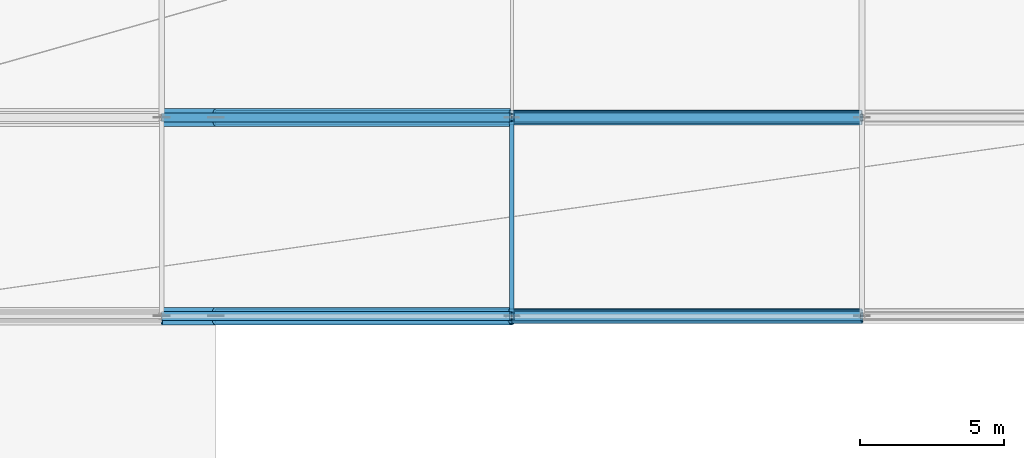
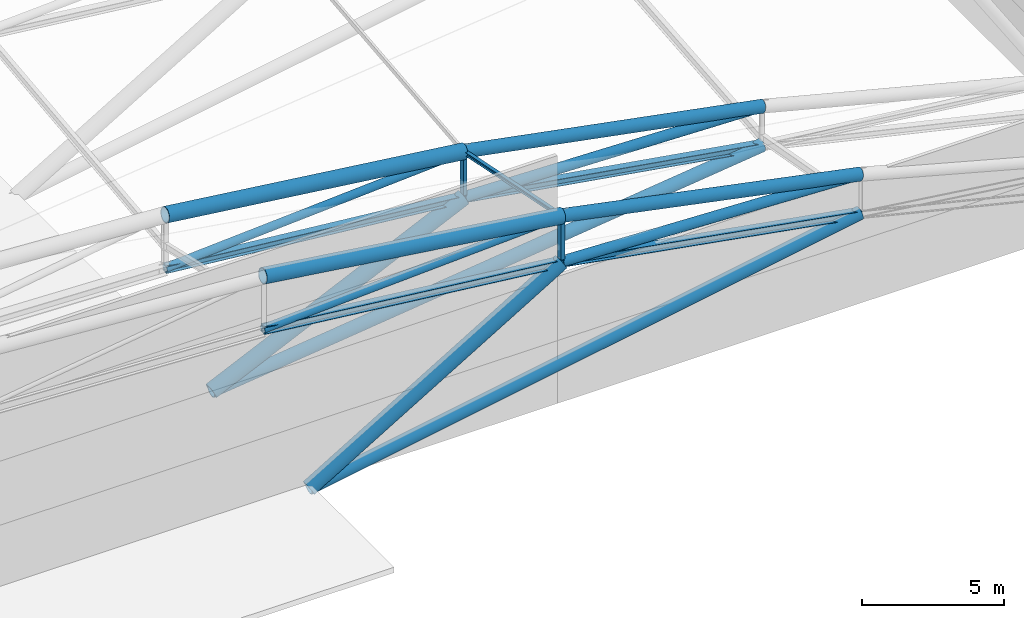
# One storey, part 7 of 36: 19 members.
"""IFC4 building model written with IfcOpenShell, lengths in metres."""

from ifc_helpers import new_model, si_unit, direction, frame, origin, origin_2d, place, context, subcontext, project, spatial, hollow_rectangle, hollow_circle, i_section, extrude, material, material_profile, profile_set, type_object, element, save


model = new_model("IFC4")

# Units and contexts
model_context = context("Model", 3, precision=1e-05, world=origin(), true_north=direction((0.0, 1.0)))
body_context = subcontext(model_context, "Body", "Model", "MODEL_VIEW")
ifc_project = project(units=[si_unit("LENGTHUNIT", "METRE"), si_unit("AREAUNIT", "SQUARE_METRE"), si_unit("VOLUMEUNIT", "CUBIC_METRE"), si_unit("PLANEANGLEUNIT", "RADIAN"), si_unit("MASSUNIT", "GRAM", prefix="KILO")], contexts=[model_context])

# Site, building, storey
site_placement = place(None, origin())
site = spatial("IfcSite", under=ifc_project, at=site_placement, CompositionType="ELEMENT")
building_placement = place(site_placement, origin())
building = spatial("IfcBuilding", under=site, at=building_placement, Name="Linyun Crest Stadium", CompositionType="ELEMENT")
storey_placement = place(building_placement, frame((0.0, 0.0, 31.60009765625)))
storey = spatial("IfcBuildingStorey", under=building, at=storey_placement, Name="RF", CompositionType="ELEMENT", Elevation=31.60009765625)

# Members
ifc_material_1 = material(Name="Steel Q355C", Category="steel")
ifc_material_profile_1 = material_profile(ifc_material_1, i_section(OverallWidth=0.14990234375, OverallDepth=0.14990234375, WebThickness=0.007080078125, FlangeThickness=0.010009765625, at=origin_2d()), Name="HW 150x150")
ifc_profile_set_1 = profile_set([ifc_material_profile_1], Name="Steel Q355C")
member_type_1 = type_object("IfcMemberType", Name="AR01", PredefinedType="USERDEFINED", material=ifc_profile_set_1)
member_1_placement = place(storey_placement, frame((-59.75, -46.0, 7.8759765625), z_axis=(0.0, 0.979830901048, -0.199828439798), x_axis=(-1.0, 0.0, 0.0)))
element("IfcMember", 1, at=member_1_placement, inside=storey, type_object=member_type_1, Name="Art Nouveau canopy arch rib AR01 V1 156", ObjectType="ARCH RIB", PredefinedType="USERDEFINED", context=body_context, shape_type="SweptSolid", body=[
    extrude(i_section(OverallWidth=0.14990234375, OverallDepth=0.14990234375, WebThickness=0.007080078125, FlangeThickness=0.010009765625, at=origin_2d()), origin(), (0.0, 0.0, 1.0), 7.0166015625),
])
ifc_material_2 = material(Name="Steel Q420C", Category="steel")
ifc_material_profile_2 = material_profile(ifc_material_2, hollow_circle(Radius=0.25390625, WallThickness=0.02490234375, at=origin_2d()), Name="CHS 508x25")
ifc_profile_set_2 = profile_set([ifc_material_profile_2], Name="Steel Q420C")
member_type_2 = type_object("IfcMemberType", Name="TC01", PredefinedType="CHORD", material=ifc_profile_set_2)
member_2_placement = place(storey_placement, frame((-59.75, -46.0, 7.8759765625), z_axis=(0.980014256524, 0.0, -0.198927265625), x_axis=(0.0, 1.0, 0.0)))
element("IfcMember", 2, at=member_2_placement, inside=storey, type_object=member_type_2, Name="Roof truss top chord TC01 V1 10", PredefinedType="CHORD", context=body_context, shape_type="SweptSolid", body=[
    extrude(hollow_circle(Radius=0.25390625, WallThickness=0.02490234375, at=origin_2d()), origin(), (0.0, 0.0, 1.0), 12.372314453125),
])
member_3_placement = place(storey_placement, frame((-70.0, -46.0, -0.235107421875), z_axis=(0.984499461643, 0.0, 0.175387599405), x_axis=(0.0, 1.0, 0.0)))
element("IfcMember", 3, at=member_3_placement, inside=storey, type_object=member_type_2, Name="Roof arch forward V-strut TC01 V1 19", PredefinedType="CHORD", context=body_context, shape_type="SweptSolid", body=[
    extrude(hollow_circle(Radius=0.25390625, WallThickness=0.02490234375, at=origin_2d()), origin(), (0.0, 0.0, 1.0), 22.727294921875),
])
member_4_placement = place(storey_placement, frame((-59.75, -39.125, 6.473876953125), z_axis=(0.98228694013, 0.0, -0.187382942791), x_axis=(0.0, 1.0, 0.0)))
element("IfcMember", 4, at=member_4_placement, inside=storey, type_object=member_type_2, Name="Roof truss top chord TC01 V1 29", PredefinedType="CHORD", context=body_context, shape_type="SweptSolid", body=[
    extrude(hollow_circle(Radius=0.25390625, WallThickness=0.02490234375, at=origin_2d()), origin(), (0.0, 0.0, 1.0), 12.34375),
])
member_5_placement = place(storey_placement, frame((-70.0, -39.125, -0.235107421875), z_axis=(0.992628408307, 0.0, 0.121197537196), x_axis=(0.0, 1.0, 0.0)))
element("IfcMember", 5, at=member_5_placement, inside=storey, type_object=member_type_2, Name="Roof arch forward V-strut TC01 V1 38", PredefinedType="CHORD", context=body_context, shape_type="SweptSolid", body=[
    extrude(hollow_circle(Radius=0.25390625, WallThickness=0.02490234375, at=origin_2d()), origin(), (0.0, 0.0, 1.0), 22.541259765625),
])
ifc_material_3 = material(Name="Steel Q420C", Category="steel")
ifc_material_profile_3 = material_profile(ifc_material_3, hollow_circle(Radius=0.304931640625, WallThickness=0.030029296875, at=origin_2d()), Name="CHS 610x30")
ifc_profile_set_3 = profile_set([ifc_material_profile_3], Name="Steel Q420C")
member_type_3 = type_object("IfcMemberType", Name="TC02", PredefinedType="CHORD", material=ifc_profile_set_3)
member_6_placement = place(storey_placement, frame((-71.875, -46.0, 9.537841796875), z_axis=(0.990737434894, 0.0, -0.135791513356), x_axis=(0.0, 1.0, 0.0)))
element("IfcMember", 6, at=member_6_placement, inside=storey, type_object=member_type_3, Name="Roof truss top chord TC02 V1 6", PredefinedType="CHORD", context=body_context, shape_type="SweptSolid", body=[
    extrude(hollow_circle(Radius=0.304931640625, WallThickness=0.030029296875, at=origin_2d()), origin(), (0.0, 0.0, 1.0), 12.23828125),
])
member_7_placement = place(storey_placement, frame((-70.0, -46.0, -0.235107421875), z_axis=(0.858046043836, 0.0, 0.513572766662), x_axis=(0.0, 1.0, 0.0)))
element("IfcMember", 7, at=member_7_placement, inside=storey, type_object=member_type_3, Name="Roof arch inclined support strut TC02 V1 18", PredefinedType="CHORD", context=body_context, shape_type="SweptSolid", body=[
    extrude(hollow_circle(Radius=0.304931640625, WallThickness=0.030029296875, at=origin_2d()), origin(), (0.0, 0.0, 1.0), 11.94580078125),
])
member_8_placement = place(storey_placement, frame((-71.875, -39.125, 7.98681640625), z_axis=(0.992304903458, 0.0, -0.123818328905), x_axis=(0.0, 1.0, 0.0)))
element("IfcMember", 8, at=member_8_placement, inside=storey, type_object=member_type_3, Name="Roof truss top chord TC02 V1 25", PredefinedType="CHORD", context=body_context, shape_type="SweptSolid", body=[
    extrude(hollow_circle(Radius=0.304931640625, WallThickness=0.030029296875, at=origin_2d()), origin(), (0.0, 0.0, 1.0), 12.218994140625),
])
member_9_placement = place(storey_placement, frame((-70.0, -39.125, -0.235107421875), z_axis=(0.907887218717, 0.0, 0.419214501287), x_axis=(0.0, 1.0, 0.0)))
element("IfcMember", 9, at=member_9_placement, inside=storey, type_object=member_type_3, Name="Roof arch inclined support strut TC02 V1 37", PredefinedType="CHORD", context=body_context, shape_type="SweptSolid", body=[
    extrude(hollow_circle(Radius=0.304931640625, WallThickness=0.030029296875, at=origin_2d()), origin(), (0.0, 0.0, 1.0), 11.2900390625),
])
ifc_material_4 = material(Name="Steel Q355C", Category="steel")
ifc_material_profile_4 = material_profile(ifc_material_4, i_section(OverallWidth=0.300048828125, OverallDepth=0.300048828125, WebThickness=0.010009765625, FlangeThickness=0.014892578125, at=origin_2d()), Name="HW 300x300")
ifc_profile_set_4 = profile_set([ifc_material_profile_4], Name="Steel Q355C")
member_type_4 = type_object("IfcMemberType", Name="TC03", PredefinedType="CHORD", material=ifc_profile_set_4)
member_10_placement = place(storey_placement, frame((-71.875, -46.0, 7.25), z_axis=(0.993857838706, 0.0, -0.110664341335), x_axis=(0.0, 1.0, 0.0)))
element("IfcMember", 10, at=member_10_placement, inside=storey, type_object=member_type_4, Name="Roof truss bottom chord TC03 V1 7", PredefinedType="CHORD", context=body_context, shape_type="SweptSolid", body=[
    extrude(i_section(OverallWidth=0.300048828125, OverallDepth=0.300048828125, WebThickness=0.010009765625, FlangeThickness=0.014892578125, at=origin_2d()), origin(), (0.0, 0.0, 1.0), 12.199951171875),
])
member_11_placement = place(storey_placement, frame((-59.75, -46.0, 5.89990234375), z_axis=(0.984655151778, 0.0, -0.174511409591), x_axis=(0.0, 1.0, 0.0)))
element("IfcMember", 11, at=member_11_placement, inside=storey, type_object=member_type_4, Name="Roof truss bottom chord TC03 V1 11", PredefinedType="CHORD", context=body_context, shape_type="SweptSolid", body=[
    extrude(i_section(OverallWidth=0.300048828125, OverallDepth=0.300048828125, WebThickness=0.010009765625, FlangeThickness=0.014892578125, at=origin_2d()), origin(), (0.0, 0.0, 1.0), 12.31396484375),
])
member_12_placement = place(storey_placement, frame((-71.875, -39.125, 5.698974609375), z_axis=(0.995128816625, 0.0, -0.098583154353), x_axis=(0.0, 1.0, 0.0)))
element("IfcMember", 12, at=member_12_placement, inside=storey, type_object=member_type_4, Name="Roof truss bottom chord TC03 V1 26", PredefinedType="CHORD", context=body_context, shape_type="SweptSolid", body=[
    extrude(i_section(OverallWidth=0.300048828125, OverallDepth=0.300048828125, WebThickness=0.010009765625, FlangeThickness=0.014892578125, at=origin_2d()), origin(), (0.0, 0.0, 1.0), 12.184326171875),
])
member_13_placement = place(storey_placement, frame((-59.75, -39.125, 4.497802734375), z_axis=(0.986654695276, 0.0, -0.162826632621), x_axis=(0.0, 1.0, 0.0)))
element("IfcMember", 13, at=member_13_placement, inside=storey, type_object=member_type_4, Name="Roof truss bottom chord TC03 V1 30", PredefinedType="CHORD", context=body_context, shape_type="SweptSolid", body=[
    extrude(i_section(OverallWidth=0.300048828125, OverallDepth=0.300048828125, WebThickness=0.010009765625, FlangeThickness=0.014892578125, at=origin_2d()), origin(), (0.0, 0.0, 1.0), 12.2890625),
])
ifc_material_5 = material(Name="Steel Q355C", Category="steel")
ifc_material_profile_5 = material_profile(ifc_material_5, hollow_circle(Radius=0.16259765625, WallThickness=0.01611328125, at=origin_2d()), Name="CHS 325x16")
ifc_profile_set_5 = profile_set([ifc_material_profile_5], Name="Steel Q355C")
member_type_5 = type_object("IfcMemberType", Name="TD02", PredefinedType="BRACE", material=ifc_profile_set_5)
member_14_placement = place(storey_placement, frame((-71.875, -46.0, 7.25), z_axis=(0.998669988006, 0.0, 0.05155826855), x_axis=(0.0, 1.0, 0.0)))
element("IfcMember", 14, at=member_14_placement, inside=storey, type_object=member_type_5, Name="Roof truss diagonal TD02 V1 8", PredefinedType="BRACE", context=body_context, shape_type="SweptSolid", body=[
    extrude(hollow_circle(Radius=0.16259765625, WallThickness=0.01611328125, at=origin_2d()), origin(), (0.0, 0.0, 1.0), 12.14111328125),
])
member_15_placement = place(storey_placement, frame((-71.875, -39.125, 5.698974609375), z_axis=(0.997964024434, 0.0, 0.063779353527), x_axis=(0.0, 1.0, 0.0)))
element("IfcMember", 15, at=member_15_placement, inside=storey, type_object=member_type_5, Name="Roof truss diagonal TD02 V1 27", PredefinedType="BRACE", context=body_context, shape_type="SweptSolid", body=[
    extrude(hollow_circle(Radius=0.16259765625, WallThickness=0.01611328125, at=origin_2d()), origin(), (0.0, 0.0, 1.0), 12.149658203125),
])
ifc_material_6 = material(Name="Steel Q420C", Category="steel")
ifc_material_profile_6 = material_profile(ifc_material_6, hollow_circle(Radius=0.202880859375, WallThickness=0.02001953125, at=origin_2d()), Name="CHS 406x20")
ifc_profile_set_6 = profile_set([ifc_material_profile_6], Name="Steel Q420C")
member_type_6 = type_object("IfcMemberType", Name="TD03", PredefinedType="BRACE", material=ifc_profile_set_6)
member_16_placement = place(storey_placement, frame((-59.75, -46.0, 5.89990234375), z_axis=(0.99920060515, 0.0, -0.03997687666), x_axis=(0.0, 1.0, 0.0)))
element("IfcMember", 16, at=member_16_placement, inside=storey, type_object=member_type_6, Name="Roof truss diagonal TD03 V1 12", PredefinedType="BRACE", context=body_context, shape_type="SweptSolid", body=[
    extrude(hollow_circle(Radius=0.202880859375, WallThickness=0.02001953125, at=origin_2d()), origin(), (0.0, 0.0, 1.0), 12.134765625),
])
member_17_placement = place(storey_placement, frame((-59.75, -39.125, 4.497802734375), z_axis=(0.999614172316, 0.0, -0.027776005916), x_axis=(0.0, 1.0, 0.0)))
element("IfcMember", 17, at=member_17_placement, inside=storey, type_object=member_type_6, Name="Roof truss diagonal TD03 V1 31", PredefinedType="BRACE", context=body_context, shape_type="SweptSolid", body=[
    extrude(hollow_circle(Radius=0.202880859375, WallThickness=0.02001953125, at=origin_2d()), origin(), (0.0, 0.0, 1.0), 12.129638671875),
])
ifc_material_7 = material(Name="Steel Q355C", Category="steel")
ifc_material_profile_7 = material_profile(ifc_material_7, hollow_rectangle(XDim=0.14990234375, YDim=0.25, WallThickness=0.010009765625, at=origin_2d()), Name="RHS 250x150x10")
ifc_profile_set_7 = profile_set([ifc_material_profile_7], Name="Steel Q355C")
member_type_7 = type_object("IfcMemberType", Name="TV03", PredefinedType="STRUT", material=ifc_profile_set_7)
for number, where, z_axis, x_axis, name in (
    (18, (-59.75, -46.0, 5.89990234375), (0.0, 0.0, 1.0), (1.0, 0.0, 0.0), "Roof vertical strut TV03 V1 13"),
    (19, (-59.75, -39.125, 4.497802734375), (0.0, 0.0, 1.0), (1.0, 0.0, 0.0), "Roof vertical strut TV03 V1 32"),
):
    element("IfcMember", number, at=place(storey_placement, frame(where, z_axis=z_axis, x_axis=x_axis)), inside=storey, type_object=member_type_7, Name=name, PredefinedType="STRUT", context=body_context, shape_type="SweptSolid", body=[
        extrude(hollow_rectangle(XDim=0.14990234375, YDim=0.25, WallThickness=0.010009765625, at=origin_2d()), origin(), (0.0, 0.0, 1.0), 1.97607421875),
    ])

save(model, "model.ifc")
